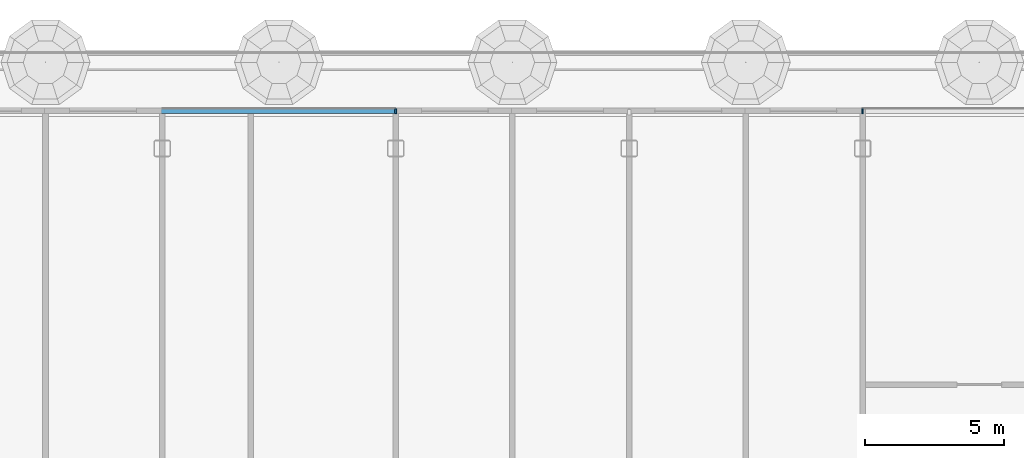
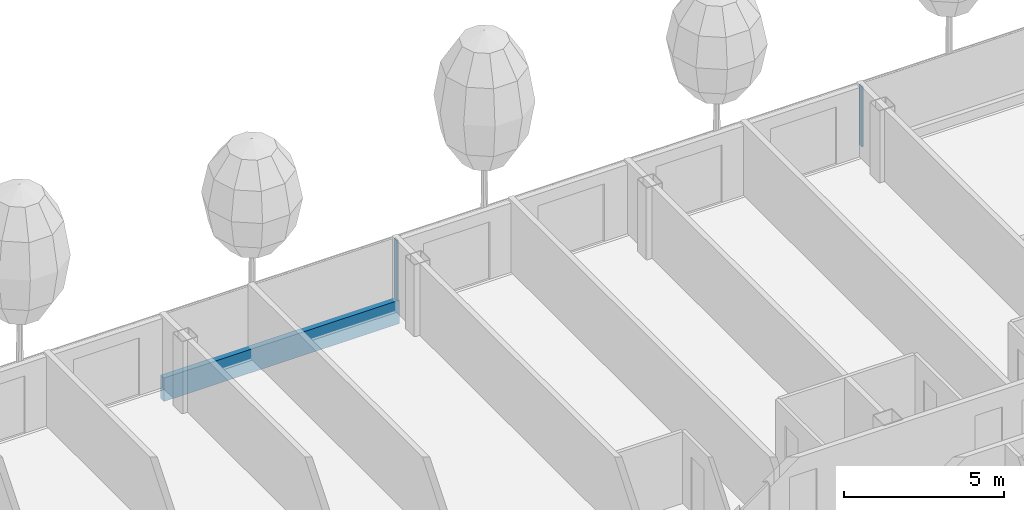
# One storey, part 5 of 29: 3 members, 1 element without a shape of its own.
"""IFC4 building model written with IfcOpenShell, lengths in metres."""

import ifcopenshell
import ifcopenshell.guid

model = None  # the IFC model being written
_history = None  # IfcOwnerHistory: only IFC2X3 demands one
_inside = {}  # id of a spatial element -> (the spatial element, [elements in it])
_under = {}  # id of a project, library or spatial element -> (it, [spatial elements below it])
_declared = {}  # id of a project -> (the project, [libraries it declares])
_typed = {}  # id of a type object -> (the type object, [elements of that type])
_made_of = {}  # id of a material, layer set ... -> (it, [elements and type objects made of it])


def new_model(schema):
    """Start an empty IFC model of exactly this schema.

    Asked for "IFC4X3", IfcOpenShell would pick the latest addendum, in which some entities
    have other attributes; the version numbers below select the first issue.
    IFC2X3 requires an IfcOwnerHistory on every rooted entity: one is made here for all.
    """
    global model, _history
    if schema == "IFC4X3":
        model = ifcopenshell.file(schema_version=(4, 3, 0, 0))
    else:
        model = ifcopenshell.file(schema=schema)
    _inside.clear()
    _under.clear()
    _declared.clear()
    _typed.clear()
    _made_of.clear()
    _history = None
    if model.schema == "IFC2X3":
        org = make("IfcOrganization", Name="unknown")
        user = make(
            "IfcPersonAndOrganization",
            ThePerson=make("IfcPerson", FamilyName="unknown"),
            TheOrganization=org,
        )
        app = make(
            "IfcApplication",
            ApplicationDeveloper=org,
            Version="unknown",
            ApplicationFullName="unknown",
            ApplicationIdentifier="unknown",
        )
        _history = make(
            "IfcOwnerHistory",
            OwningUser=user,
            OwningApplication=app,
            ChangeAction="ADDED",
            CreationDate=0,
        )
    return model


def make(cls, **values):
    """One entity of the class cls with the attributes given. An attribute that is None is left unset."""
    return model.create_entity(
        cls, **{name: value for name, value in values.items() if value is not None}
    )


def rooted(cls, **values):
    """An entity with a GlobalId (a new one), such as an element, a storey or a relation."""
    return make(cls, GlobalId=ifcopenshell.guid.new(), OwnerHistory=_history, **values)


def si_unit(unit_type, name, prefix=None):
    """IfcSIUnit, for example si_unit("LENGTHUNIT", "METRE", prefix="MILLI")."""
    return make("IfcSIUnit", UnitType=unit_type, Prefix=prefix, Name=name)


def assignment(units):
    """IfcUnitAssignment: the units of a project."""
    return None if units is None else make("IfcUnitAssignment", Units=units)


def point(xyz):
    """IfcCartesianPoint."""
    return None if xyz is None else make("IfcCartesianPoint", Coordinates=xyz)


def direction(xyz):
    """IfcDirection."""
    return None if xyz is None else make("IfcDirection", DirectionRatios=xyz)


def frame(location, z_axis=None, x_axis=None):
    """IfcAxis2Placement3D, a coordinate frame: its origin and axes. An axis left out is left unset."""
    return make(
        "IfcAxis2Placement3D",
        Location=point(location),
        Axis=direction(z_axis),
        RefDirection=direction(x_axis),
    )


def frame_2d(location, x_axis=None):
    """IfcAxis2Placement2D, a coordinate frame in the plane: its origin and x axis."""
    return make(
        "IfcAxis2Placement2D", Location=point(location), RefDirection=direction(x_axis)
    )


def origin():
    """The frame at (0, 0, 0) with its axes left unset."""
    return frame((0.0, 0.0, 0.0))


def origin_2d():
    """The frame at (0, 0) in the plane with its x axis left unset."""
    return frame_2d((0.0, 0.0))


def place(relative_to, where):
    """IfcLocalPlacement: puts the frame where relative to a parent placement (None: the world)."""
    return make(
        "IfcLocalPlacement", PlacementRelTo=relative_to, RelativePlacement=where
    )


def context(
    kind, dimensions, precision=None, world=None, true_north=None, identifier=None
):
    """IfcGeometricRepresentationContext, for example the 3D "Model" context."""
    return make(
        "IfcGeometricRepresentationContext",
        ContextIdentifier=identifier,
        ContextType=kind,
        CoordinateSpaceDimension=dimensions,
        Precision=precision,
        WorldCoordinateSystem=world,
        TrueNorth=true_north,
    )


def subcontext(parent, identifier, kind, view, scale=None):
    """IfcGeometricRepresentationSubContext, for example "Body" below "Model"."""
    return make(
        "IfcGeometricRepresentationSubContext",
        ContextIdentifier=identifier,
        ContextType=kind,
        ParentContext=parent,
        TargetScale=scale,
        TargetView=view,
    )


def project(units=None, contexts=None):
    """IfcProject with its units and contexts."""
    return rooted(
        "IfcProject",
        Name="project",
        RepresentationContexts=contexts,
        UnitsInContext=assignment(units),
    )


def spatial(cls, under=None, at=None, **own):
    """A site, building, storey or space (cls), placed at a placement, below another one or the project."""
    s = rooted(cls, ObjectPlacement=at, **own)
    if under is not None:
        _under.setdefault(under.id(), (under, []))[1].append(s)
    return s


def profile(cls, at=None, kind="AREA", **sizes):
    """A parametric profile (cls). Its sizes go by their IFC names, for example OverallWidth=200.0."""
    return make(cls, ProfileType=kind, Position=at, **sizes)


def rectangle(**sizes):
    """IfcRectangleProfileDef."""
    return profile("IfcRectangleProfileDef", **sizes)


def extrude(swept, where, along, depth):
    """IfcExtrudedAreaSolid: the profile swept, set in the frame where, extruded along a direction by depth."""
    return make(
        "IfcExtrudedAreaSolid",
        SweptArea=swept,
        Position=where,
        ExtrudedDirection=direction(along),
        Depth=depth,
    )


def shape(context_of_items, identifier, shape_type, items):
    """IfcShapeRepresentation: the items that make up one representation, for example the "Body"."""
    return make(
        "IfcShapeRepresentation",
        ContextOfItems=context_of_items,
        RepresentationIdentifier=identifier,
        RepresentationType=shape_type,
        Items=items,
    )


def material(Name=None, Category=None):
    """IfcMaterial."""
    return make("IfcMaterial", Name=Name, Category=Category)


def layer(
    of_material, thickness, ventilated=None, Name=None, Category=None, Priority=None
):
    """IfcMaterialLayer: one layer of a wall or slab, of a material (None: an air gap)."""
    return make(
        "IfcMaterialLayer",
        Material=of_material,
        LayerThickness=thickness,
        IsVentilated=ventilated,
        Name=Name,
        Category=Category,
        Priority=Priority,
    )


def layer_set(layers, Name=None):
    """IfcMaterialLayerSet."""
    return make("IfcMaterialLayerSet", MaterialLayers=layers, LayerSetName=Name)


def material_profile(
    of_material, cross_section, Name=None, Category=None, Priority=None
):
    """IfcMaterialProfile: a cross section and its material."""
    return make(
        "IfcMaterialProfile",
        Name=Name,
        Material=of_material,
        Profile=cross_section,
        Priority=Priority,
        Category=Category,
    )


def profile_set(profiles, Name=None, composite=None):
    """IfcMaterialProfileSet."""
    return make(
        "IfcMaterialProfileSet",
        Name=Name,
        MaterialProfiles=profiles,
        CompositeProfile=composite,
    )


def made_of(thing, what):
    """Note that an element or type object is made of a material, layer set ...; save() writes the relation."""
    if what is not None:
        _made_of.setdefault(what.id(), (what, []))[1].append(thing)
    return thing


def type_object(cls, material=None, **own):
    """A type object (cls), such as IfcWallType, which elements share."""
    return made_of(rooted(cls, **own), material)


def element(
    cls,
    number,
    at=None,
    inside=None,
    cuts=None,
    type_object=None,
    material=None,
    context=None,
    identifier="Body",
    shape_type=None,
    held_by="IfcProductDefinitionShape",
    body=None,
    shapes=None,
    **own,
):
    """One element of the class cls, such as IfcWall. Its Tag is "e" and its number.

    at: its placement. inside: the storey or other place that contains it. cuts: it is an
    opening in that element (IfcRelVoidsElement). A single representation is given by context,
    identifier, shape_type and body (its items); several are given by shapes. held_by: the class
    of the entity that holds the representations. save() writes the other relations.
    """
    e = rooted(cls, Tag="e%d" % number, ObjectPlacement=at, **own)
    if body is not None:
        shapes = [shape(context, identifier, shape_type, body)]
    if shapes is not None:
        e.Representation = make(held_by, Representations=shapes)
    if inside is not None:
        _inside.setdefault(inside.id(), (inside, []))[1].append(e)
    if cuts is not None:
        rooted(
            "IfcRelVoidsElement", RelatingBuildingElement=cuts, RelatedOpeningElement=e
        )
    if type_object is not None:
        _typed.setdefault(type_object.id(), (type_object, []))[1].append(e)
    return made_of(e, material)


def aggregate(whole, parts):
    """IfcRelAggregates: a whole, such as a stair, and the parts it consists of."""
    return rooted("IfcRelAggregates", RelatingObject=whole, RelatedObjects=parts)


def save(model, path):
    """Write the relations noted so far, then the file.

    IfcRelAggregates (storeys below a building ...), IfcRelContainedInSpatialStructure (elements
    in a storey), IfcRelDefinesByType, IfcRelAssociatesMaterial and IfcRelDeclares: one each for
    every whole, place, type object, material and project.
    """
    for whole, parts in _under.values():
        aggregate(whole, parts)
    for where, things in _inside.values():
        rooted(
            "IfcRelContainedInSpatialStructure",
            RelatedElements=things,
            RelatingStructure=where,
        )
    for kind, things in _typed.values():
        rooted("IfcRelDefinesByType", RelatedObjects=things, RelatingType=kind)
    for what, things in _made_of.values():
        rooted("IfcRelAssociatesMaterial", RelatedObjects=things, RelatingMaterial=what)
    for by, libraries in _declared.values():
        rooted("IfcRelDeclares", RelatingContext=by, RelatedDefinitions=libraries)
    model.write(path)


model = new_model("IFC4")

# Units and contexts
model_context = context("Model", 3, precision=1e-05, world=origin(), true_north=direction((0.0, 1.0)))
body_context = subcontext(model_context, "Body", "Model", "MODEL_VIEW")
ifc_project = project(units=[si_unit("LENGTHUNIT", "METRE"), si_unit("AREAUNIT", "SQUARE_METRE"), si_unit("VOLUMEUNIT", "CUBIC_METRE"), si_unit("PLANEANGLEUNIT", "RADIAN"), si_unit("MASSUNIT", "GRAM", prefix="KILO")], contexts=[model_context])

# Site, building, storey
site_placement = place(None, origin())
site = spatial("IfcSite", under=ifc_project, at=site_placement, CompositionType="ELEMENT")
building_placement = place(site_placement, origin())
building = spatial("IfcBuilding", under=site, at=building_placement, Name="Hakoniwa Tower and Hamabe Station Hall", CompositionType="ELEMENT")
storey_placement = place(building_placement, frame((0.0, 0.0, 205.800048828125)))
storey = spatial("IfcBuildingStorey", under=building, at=storey_placement, Name="L58", CompositionType="ELEMENT", Elevation=205.800048828125)

# Curtain wall, members
ifc_material_1 = material(Name="Dark low-e laminated glass", Category="glass")
ifc_layer = layer(ifc_material_1, 0.199951171875)
ifc_layer_set = layer_set([ifc_layer], Name="CW-1 UNITISED GUEST")
curtain_wall_type = type_object("IfcCurtainWallType", Name="CW-1 UNITISED GUEST", PredefinedType="NOTDEFINED", material=ifc_layer_set)
curtain_wall_placement = place(storey_placement, origin())
curtain_wall = element("IfcCurtainWall", 1, at=curtain_wall_placement, inside=storey, type_object=curtain_wall_type, Name="CW-1 curtain wall", PredefinedType="NOTDEFINED")
ifc_material_2 = material(Name="Aluminium 6063-T5 black anodised", Category="aluminium")
ifc_material_profile_1 = material_profile(ifc_material_2, rectangle(XDim=0.199951171875, YDim=0.89990234375, at=origin_2d()), Name="CW SLAB-EDGE BAND 900X200")
ifc_profile_set_1 = profile_set([ifc_material_profile_1], Name="Aluminium 6063-T5 black anodised")
member_type_1 = type_object("IfcMemberType", Name="CW SLAB-EDGE BAND 900X200", PredefinedType="USERDEFINED", material=ifc_profile_set_1)
member_1_placement = place(storey_placement, frame((0.06005859375, 20.449951171875, -0.10009765625), z_axis=(-1.0, 0.0, 0.0), x_axis=(0.0, -1.0, 0.0)))
member_1 = element("IfcMember", 2, at=member_1_placement, type_object=member_type_1, Name="CW-1 transom", ObjectType="TRANSOM", PredefinedType="USERDEFINED", context=body_context, shape_type="SweptSolid", body=[
    extrude(rectangle(XDim=0.199951171875, YDim=0.89990234375, at=origin_2d()), origin(), (0.0, 0.0, 1.0), 8.52001953125),
])
ifc_material_3 = material(Name="Aluminium 6063-T5 black anodised", Category="aluminium")
ifc_material_profile_2 = material_profile(ifc_material_3, rectangle(XDim=0.06005859375, YDim=0.179931640625, at=origin_2d()), Name="CW-1 MULLION 60X180")
ifc_profile_set_2 = profile_set([ifc_material_profile_2], Name="Aluminium 6063-T5 black anodised")
member_type_2 = type_object("IfcMemberType", Name="CW-1 MULLION 60X180", PredefinedType="MULLION", material=ifc_profile_set_2)
member_2_placement = place(storey_placement, frame((16.800048828125, 20.431884765625, 0.349853515625), z_axis=(0.0, 0.0, 1.0), x_axis=(-1.0, 0.0, 0.0)))
member_2 = element("IfcMember", 3, at=member_2_placement, type_object=member_type_2, Name="CW-1 mullion", PredefinedType="MULLION", context=body_context, shape_type="SweptSolid", body=[
    extrude(rectangle(XDim=0.06005859375, YDim=0.179931640625, at=origin_2d()), origin(), (0.0, 0.0, 1.0), 2.300048828125),
])
member_3_placement = place(storey_placement, frame((0.0, 20.431884765625, 0.349853515625), z_axis=(0.0, 0.0, 1.0), x_axis=(-1.0, 0.0, 0.0)))
member_3 = element("IfcMember", 4, at=member_3_placement, type_object=member_type_2, Name="CW-1 mullion", PredefinedType="MULLION", context=body_context, shape_type="SweptSolid", body=[
    extrude(rectangle(XDim=0.06005859375, YDim=0.179931640625, at=origin_2d()), origin(), (0.0, 0.0, 1.0), 2.300048828125),
])
aggregate(curtain_wall, [member_2, member_3, member_1])

save(model, "model.ifc")
